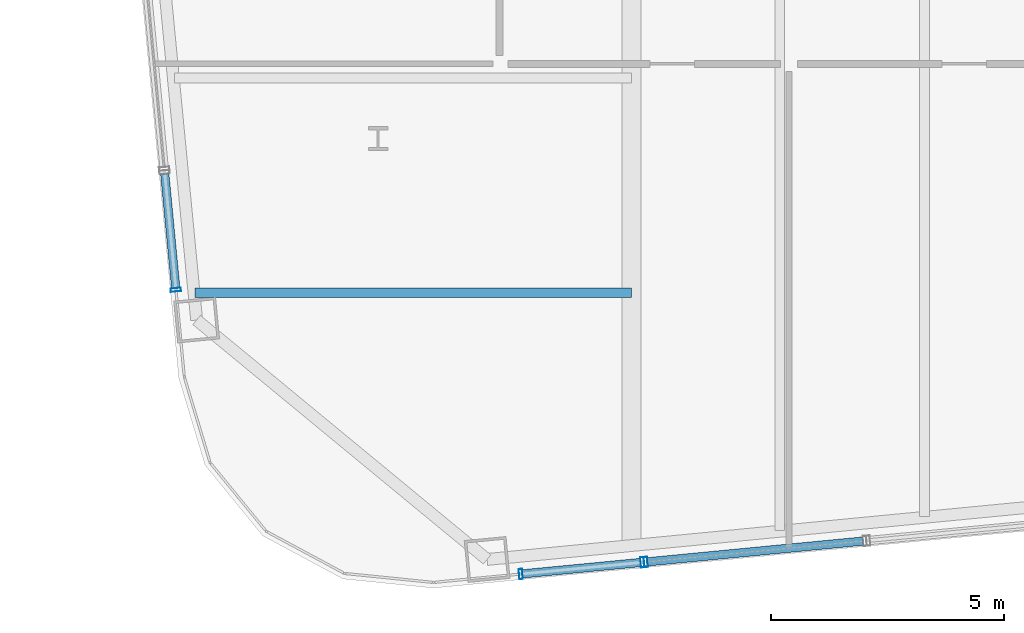
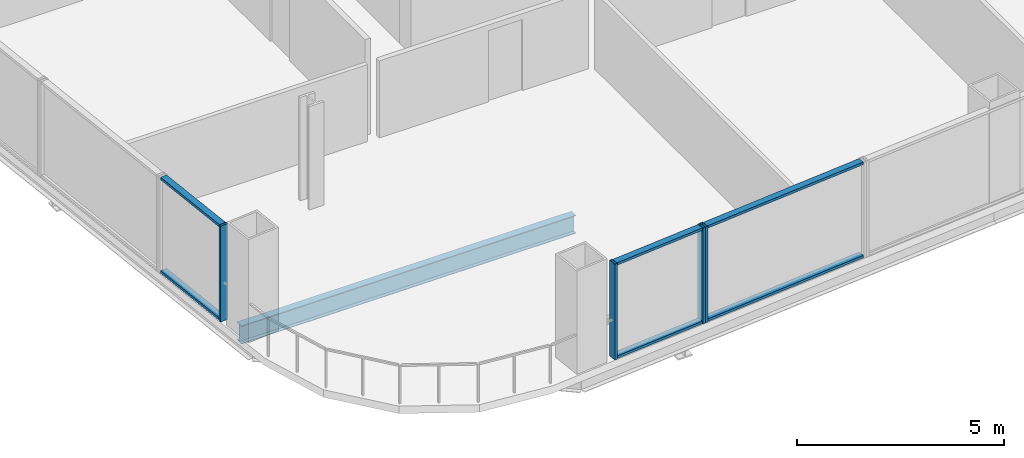
# One storey, part 2 of 32: 10 members, 1 beam, 3 elements without a shape of their own.
"""IFC4 building model written with IfcOpenShell, lengths in metres."""

from ifc_helpers import new_model, si_unit, direction, frame, origin, origin_2d, place, context, subcontext, project, spatial, hollow_rectangle, i_section, extrude, material, layer, layer_set, material_profile, profile_set, type_object, element, aggregate, save


model = new_model("IFC4")

# Units and contexts
model_context = context("Model", 3, precision=1e-05, world=origin(), true_north=direction((0.0, 1.0)))
body_context = subcontext(model_context, "Body", "Model", "MODEL_VIEW")
ifc_project = project(units=[si_unit("LENGTHUNIT", "METRE"), si_unit("AREAUNIT", "SQUARE_METRE"), si_unit("VOLUMEUNIT", "CUBIC_METRE"), si_unit("PLANEANGLEUNIT", "RADIAN"), si_unit("MASSUNIT", "GRAM", prefix="KILO")], contexts=[model_context])

# Site, building, storey
site_placement = place(None, origin())
site = spatial("IfcSite", under=ifc_project, at=site_placement, CompositionType="ELEMENT")
building_placement = place(site_placement, origin())
building = spatial("IfcBuilding", under=site, at=building_placement, Name="Qhalaya Broadcast Tower", CompositionType="ELEMENT")
storey_placement = place(building_placement, frame((0.0, 0.0, 87.75)))
storey = spatial("IfcBuildingStorey", under=building, at=storey_placement, Name="L25", CompositionType="ELEMENT", Elevation=87.75)

# Beam
ifc_material_1 = material(Name="Structural Steel ASTM A992 Grade 50", Category="steel")
ifc_material_profile_1 = material_profile(ifc_material_1, i_section(OverallWidth=0.2099609375, OverallDepth=0.535888671875, WebThickness=0.010986328125, FlangeThickness=0.017333984375, at=origin_2d()), Name="W21X68")
ifc_profile_set_1 = profile_set([ifc_material_profile_1], Name="Structural Steel ASTM A992 Grade 50")
beam_type = type_object("IfcBeamType", Name="Composite Floor Joist J02", PredefinedType="JOIST", material=ifc_profile_set_1)
beam_placement = place(storey_placement, frame((-18.7216796875, -16.5, -0.488037109375), z_axis=(1.0, 0.0, 0.0), x_axis=(0.0, 1.0, 0.0)))
element("IfcBeam", 1, at=beam_placement, inside=storey, type_object=beam_type, Name="L25 J02 L25-JWE1W-1", PredefinedType="JOIST", context=body_context, shape_type="SweptSolid", body=[
    extrude(i_section(OverallWidth=0.2099609375, OverallDepth=0.535888671875, WebThickness=0.010986328125, FlangeThickness=0.017333984375, at=origin_2d()), origin(), (0.0, 0.0, 1.0), 9.3466796875),
])

# Curtain wall, members
ifc_material_2 = material(Name="Fired Architectural Terracotta", Category="masonry")
ifc_layer_1 = layer(ifc_material_2, 0.219970703125, Name="Fired Architectural Terracotta")
ifc_layer_set_1 = layer_set([ifc_layer_1], Name="Fired Architectural Terracotta")
curtain_wall_type_1 = type_object("IfcCurtainWallType", Name="Block-Cap Unitised Terracotta Spandrel Wall CW-07", PredefinedType="NOTDEFINED", material=ifc_layer_set_1)
curtain_wall_1_placement = place(storey_placement, origin())
curtain_wall_1 = element("IfcCurtainWall", 2, at=curtain_wall_1_placement, inside=storey, type_object=curtain_wall_type_1, Name="L25 Unitised Curtain Wall L25-CW-S1", PredefinedType="NOTDEFINED")
ifc_material_3 = material(Name="Anodised Aluminium 6063-T6", Category="aluminium")
ifc_material_profile_2 = material_profile(ifc_material_3, hollow_rectangle(XDim=0.074951171875, YDim=0.219970703125, WallThickness=0.00390625, at=origin_2d()), Name="ALU-MUL 75x220x4")
ifc_profile_set_2 = profile_set([ifc_material_profile_2], Name="Anodised Aluminium 6063-T6")
member_type_1 = type_object("IfcMemberType", Name="Unitised Curtain-Wall Mullion M01", PredefinedType="MULLION", material=ifc_profile_set_2)
member_1_placement = place(storey_placement, frame((-11.74462890625, -22.52490234375, 0.0), z_axis=(0.0, 0.0, 1.0), x_axis=(0.995397033761, 0.095837076227, 0.0)))
member_1 = element("IfcMember", 3, at=member_1_placement, type_object=member_type_1, Name="CW-07 mullion 1", PredefinedType="MULLION", context=body_context, shape_type="SweptSolid", body=[
    extrude(hollow_rectangle(XDim=0.074951171875, YDim=0.219970703125, WallThickness=0.00390625, at=origin_2d()), origin(), (0.0, 0.0, 1.0), 2.830078125),
])
member_2_placement = place(storey_placement, frame((-9.141845703125, -22.2744140625, 0.0), z_axis=(0.0, 0.0, 1.0), x_axis=(0.995397033761, 0.095837076227, 0.0)))
member_2 = element("IfcMember", 4, at=member_2_placement, type_object=member_type_1, Name="CW-07 mullion 2", PredefinedType="MULLION", context=body_context, shape_type="SweptSolid", body=[
    extrude(hollow_rectangle(XDim=0.074951171875, YDim=0.219970703125, WallThickness=0.00390625, at=origin_2d()), origin(), (0.0, 0.0, 1.0), 2.830078125),
])

# Curtain wall, member
ifc_material_4 = material(Name="Solar-Control Low-E Triple Glazing", Category="glass")
ifc_layer_2 = layer(ifc_material_4, 0.219970703125, Name="Solar-Control Low-E Triple Glazing")
ifc_layer_set_2 = layer_set([ifc_layer_2], Name="Solar-Control Low-E Triple Glazing")
curtain_wall_type_2 = type_object("IfcCurtainWallType", Name="Even-Block 4-Storey Double-Module Curtain Wall CW-03", PredefinedType="NOTDEFINED", material=ifc_layer_set_2)
curtain_wall_2_placement = place(storey_placement, origin())
curtain_wall_2 = element("IfcCurtainWall", 5, at=curtain_wall_2_placement, inside=storey, type_object=curtain_wall_type_2, Name="L25 Unitised Curtain Wall L25-CW-S2", PredefinedType="NOTDEFINED")
member_3_placement = place(storey_placement, frame((-9.067138671875, -22.26708984375, 0.0), z_axis=(0.0, 0.0, 1.0), x_axis=(0.995394623965, 0.095862101904, 0.0)))
member_3 = element("IfcMember", 6, at=member_3_placement, type_object=member_type_1, Name="CW-03 mullion 1", PredefinedType="MULLION", context=body_context, shape_type="SweptSolid", body=[
    extrude(hollow_rectangle(XDim=0.074951171875, YDim=0.219970703125, WallThickness=0.00390625, at=origin_2d()), origin(), (0.0, 0.0, 1.0), 2.830078125),
])

curtain_wall_3_placement = place(storey_placement, origin())
curtain_wall_3 = element("IfcCurtainWall", 7, at=curtain_wall_3_placement, inside=storey, type_object=curtain_wall_type_1, Name="L25 Unitised Curtain Wall L25-CW-W7", PredefinedType="NOTDEFINED")
member_4_placement = place(storey_placement, frame((-19.129638671875, -16.437255859375, 0.0), z_axis=(0.0, 0.0, 1.0), x_axis=(0.095849237045, -0.995395862839, 0.0)))
member_4 = element("IfcMember", 8, at=member_4_placement, type_object=member_type_1, Name="CW-07 mullion 2", PredefinedType="MULLION", context=body_context, shape_type="SweptSolid", body=[
    extrude(hollow_rectangle(XDim=0.074951171875, YDim=0.219970703125, WallThickness=0.00390625, at=origin_2d()), origin(), (0.0, 0.0, 1.0), 2.830078125),
])

# Member
ifc_material_profile_3 = material_profile(ifc_material_3, hollow_rectangle(XDim=0.074951171875, YDim=0.179931640625, WallThickness=0.00390625, at=origin_2d()), Name="ALU-TRN 75x180x4")
ifc_profile_set_3 = profile_set([ifc_material_profile_3], Name="Anodised Aluminium 6063-T6")
member_type_2 = type_object("IfcMemberType", Name="Unitised Curtain-Wall Transom T01", PredefinedType="USERDEFINED", material=ifc_profile_set_3)
member_5_placement = place(storey_placement, frame((-11.707275390625, -22.521484375, 0.03759765625), z_axis=(0.995397751495, 0.095829621306, 0.0), x_axis=(0.0, 0.0, 1.0)))
member_5 = element("IfcMember", 9, at=member_5_placement, type_object=member_type_2, Name="CW-07 transom 1.1", ObjectType="TRANSOM", PredefinedType="USERDEFINED", context=body_context, shape_type="SweptSolid", body=[
    extrude(hollow_rectangle(XDim=0.074951171875, YDim=0.179931640625, WallThickness=0.00390625, at=origin_2d()), origin(), (0.0, 0.0, 1.0), 2.5400390625),
])

member_6_placement = place(storey_placement, frame((-11.707275390625, -22.521484375, 2.79248046875), z_axis=(0.995397751495, 0.095829621306, 0.0), x_axis=(0.0, 0.0, 1.0)))
member_6 = element("IfcMember", 10, at=member_6_placement, type_object=member_type_2, Name="CW-07 transom 1.2", ObjectType="TRANSOM", PredefinedType="USERDEFINED", context=body_context, shape_type="SweptSolid", body=[
    extrude(hollow_rectangle(XDim=0.074951171875, YDim=0.179931640625, WallThickness=0.00390625, at=origin_2d()), origin(), (0.0, 0.0, 1.0), 2.5400390625),
])

aggregate(curtain_wall_1, [member_1, member_2, member_5, member_6])

member_7_placement = place(storey_placement, frame((-9.02978515625, -22.263671875, 0.03759765625), z_axis=(0.995391452368, 0.09589502882, 0.0), x_axis=(0.0, 0.0, 1.0)))
member_7 = element("IfcMember", 11, at=member_7_placement, type_object=member_type_2, Name="CW-03 transom 1.1", ObjectType="TRANSOM", PredefinedType="USERDEFINED", context=body_context, shape_type="SweptSolid", body=[
    extrude(hollow_rectangle(XDim=0.074951171875, YDim=0.179931640625, WallThickness=0.00390625, at=origin_2d()), origin(), (0.0, 0.0, 1.0), 4.63623046875),
])

member_8_placement = place(storey_placement, frame((-9.02978515625, -22.263671875, 2.79248046875), z_axis=(0.995391452368, 0.09589502882, 0.0), x_axis=(0.0, 0.0, 1.0)))
member_8 = element("IfcMember", 12, at=member_8_placement, type_object=member_type_2, Name="CW-03 transom 1.2", ObjectType="TRANSOM", PredefinedType="USERDEFINED", context=body_context, shape_type="SweptSolid", body=[
    extrude(hollow_rectangle(XDim=0.074951171875, YDim=0.179931640625, WallThickness=0.00390625, at=origin_2d()), origin(), (0.0, 0.0, 1.0), 4.63623046875),
])

aggregate(curtain_wall_2, [member_3, member_7, member_8])

member_9_placement = place(storey_placement, frame((-19.368408203125, -13.957275390625, 0.03759765625), z_axis=(0.095809089258, -0.995399727956, 0.0), x_axis=(0.0, 0.0, 1.0)))
member_9 = element("IfcMember", 13, at=member_9_placement, type_object=member_type_2, Name="CW-07 transom 1.1", ObjectType="TRANSOM", PredefinedType="USERDEFINED", context=body_context, shape_type="SweptSolid", body=[
    extrude(hollow_rectangle(XDim=0.074951171875, YDim=0.179931640625, WallThickness=0.00390625, at=origin_2d()), origin(), (0.0, 0.0, 1.0), 2.453857421875),
])

member_10_placement = place(storey_placement, frame((-19.368408203125, -13.957275390625, 2.79248046875), z_axis=(0.095809089258, -0.995399727956, 0.0), x_axis=(0.0, 0.0, 1.0)))
member_10 = element("IfcMember", 14, at=member_10_placement, type_object=member_type_2, Name="CW-07 transom 1.2", ObjectType="TRANSOM", PredefinedType="USERDEFINED", context=body_context, shape_type="SweptSolid", body=[
    extrude(hollow_rectangle(XDim=0.074951171875, YDim=0.179931640625, WallThickness=0.00390625, at=origin_2d()), origin(), (0.0, 0.0, 1.0), 2.453857421875),
])

aggregate(curtain_wall_3, [member_4, member_9, member_10])

save(model, "model.ifc")
